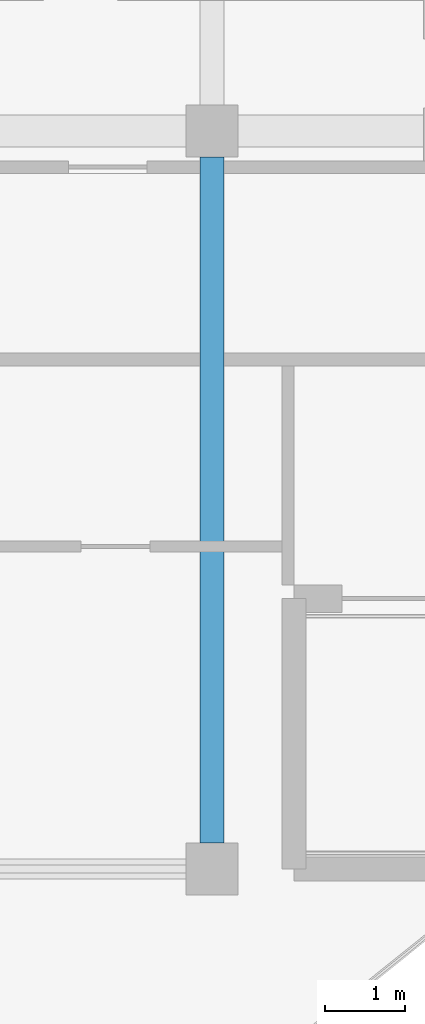
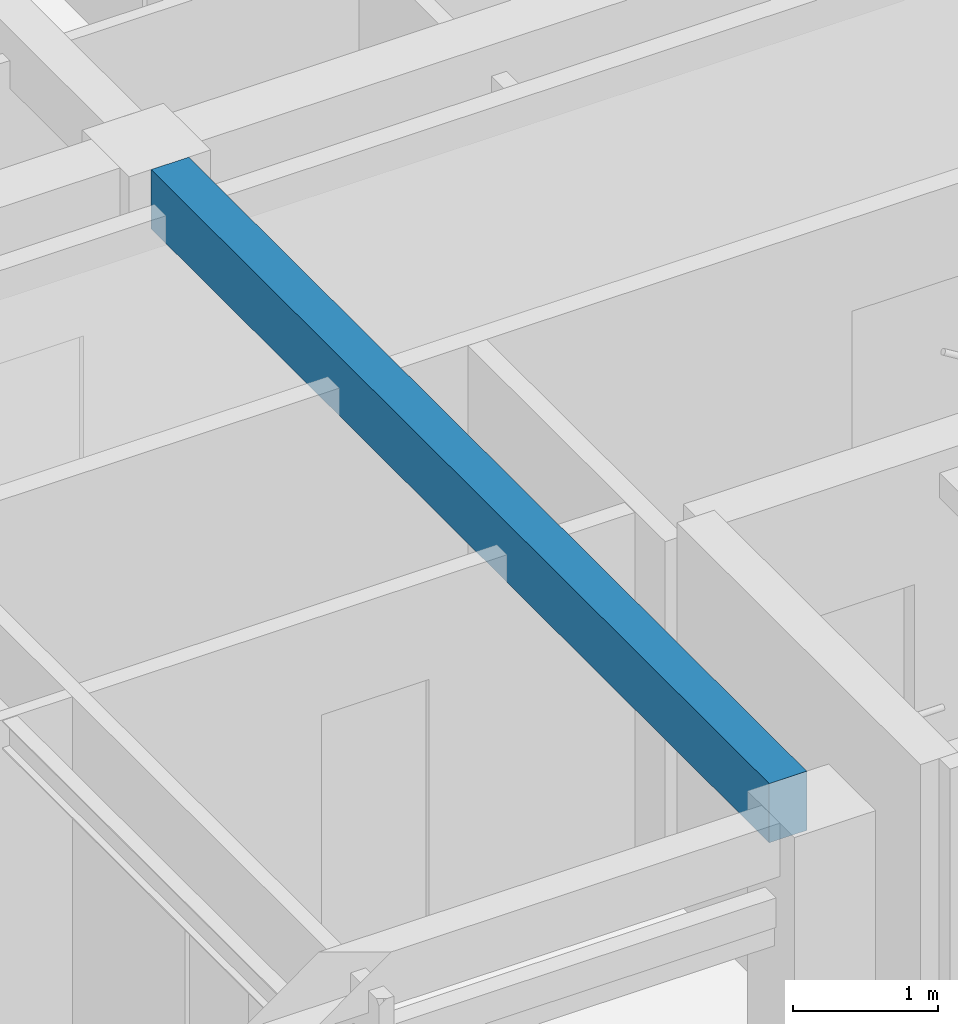
# One storey, part 17 of 89: 1 beam.
"""IFC4 building model written with IfcOpenShell, lengths in metres."""

from ifc_helpers import new_model, si_unit, direction, frame, origin, origin_2d, place, context, subcontext, project, spatial, rectangle, extrude, material, material_profile, profile_set, type_object, element, save


model = new_model("IFC4")

# Units and contexts
model_context = context("Model", 3, precision=1e-05, world=origin(), true_north=direction((0.0, 1.0)))
body_context = subcontext(model_context, "Body", "Model", "MODEL_VIEW")
ifc_project = project(units=[si_unit("LENGTHUNIT", "METRE"), si_unit("AREAUNIT", "SQUARE_METRE"), si_unit("VOLUMEUNIT", "CUBIC_METRE"), si_unit("PLANEANGLEUNIT", "RADIAN"), si_unit("MASSUNIT", "GRAM", prefix="KILO")], contexts=[model_context])

# Site, building, storey
site_placement = place(None, origin())
site = spatial("IfcSite", under=ifc_project, at=site_placement, CompositionType="ELEMENT")
building_placement = place(site_placement, origin())
building = spatial("IfcBuilding", under=site, at=building_placement, Name="Keldmere Railside Commons", CompositionType="ELEMENT")
storey_placement = place(building_placement, frame((0.0, 0.0, 7.360107421875)))
storey = spatial("IfcBuildingStorey", under=building, at=storey_placement, Name="L02", CompositionType="ELEMENT", Elevation=7.360107421875)

# Beam
ifc_material = material(Name="Concrete H-30 (C30/37)", Category="concrete")
ifc_material_profile = material_profile(ifc_material, rectangle(XDim=0.300048828125, YDim=0.5, at=origin_2d()), Name="RC-300x500")
ifc_profile_set = profile_set([ifc_material_profile], Name="Concrete H-30 (C30/37)")
beam_type = type_object("IfcBeamType", Name="Secondary Frame RC Beam 300x500", PredefinedType="BEAM", material=ifc_profile_set)
beam_placement = place(storey_placement, frame((72.830078125, 100.77490234375, 2.949951171875), z_axis=(0.0, 1.0, 0.0), x_axis=(-1.0, 0.0, 0.0)))
element("IfcBeam", 1, at=beam_placement, inside=storey, type_object=beam_type, Name="BG-5 BM-L02-1197", PredefinedType="BEAM", context=body_context, shape_type="SweptSolid", body=[
    extrude(rectangle(XDim=0.300048828125, YDim=0.5, at=origin_2d()), origin(), (0.0, 0.0, 1.0), 8.550048828125),
])

save(model, "model.ifc")
